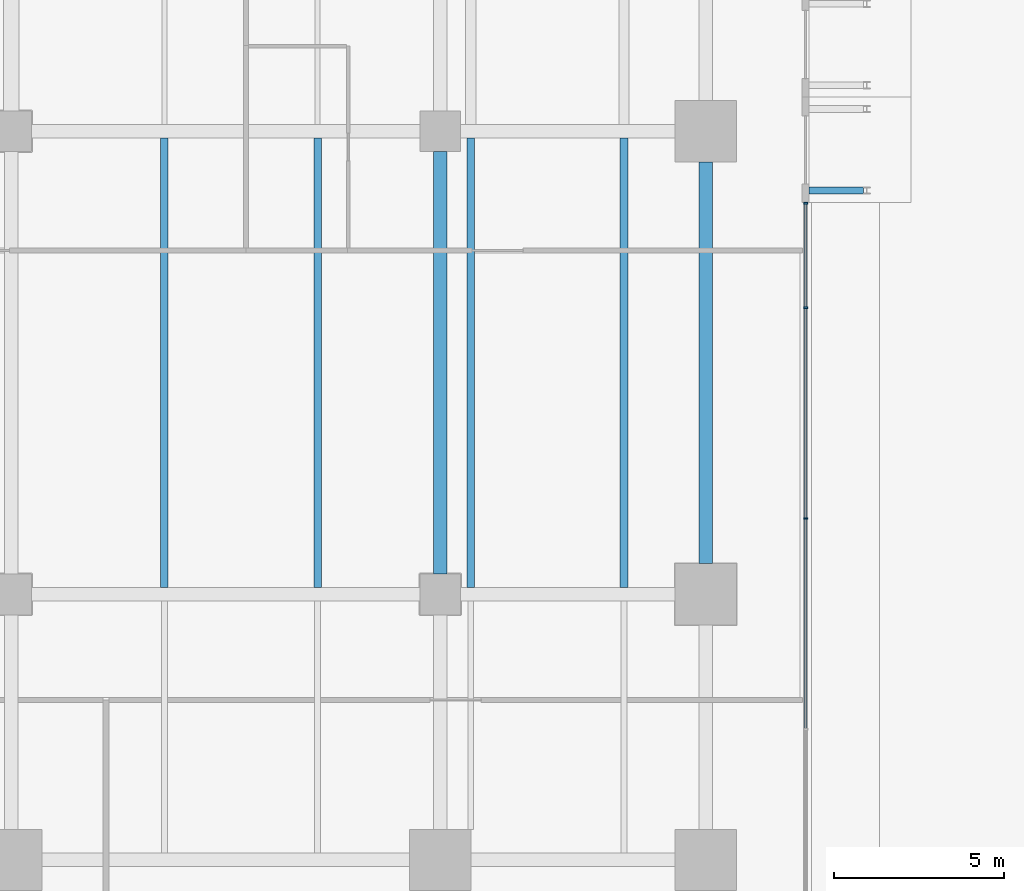
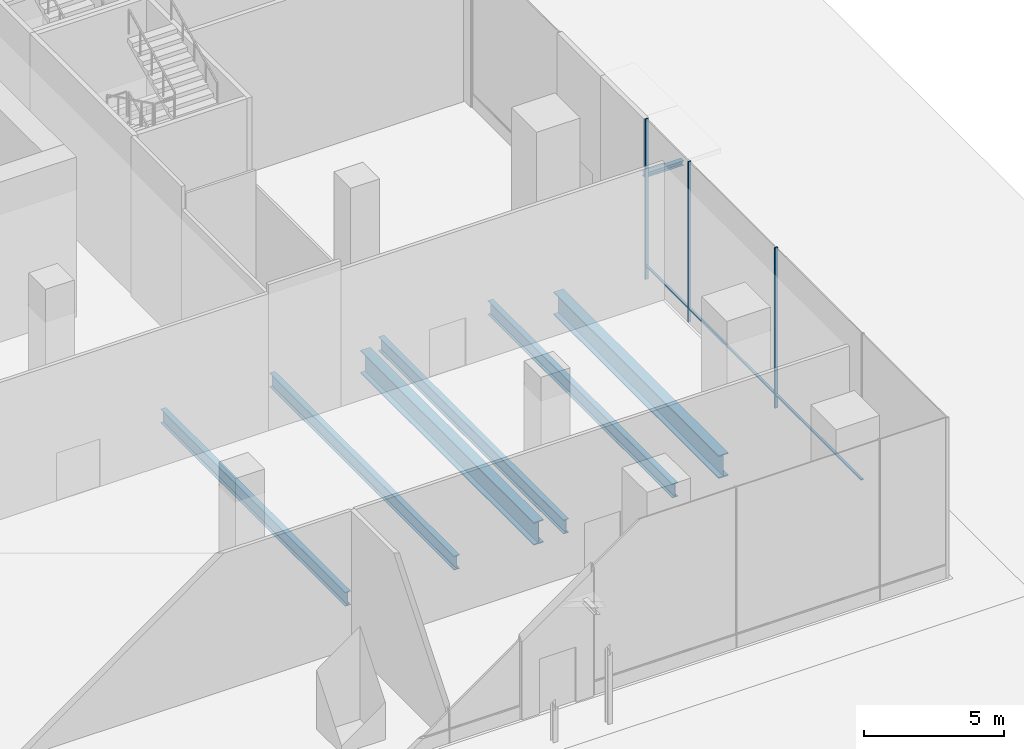
# One storey, part 19 of 41: 7 beams, 6 members, 1 element without a shape of its own.
"""IFC4 building model written with IfcOpenShell, lengths in metres."""

from ifc_helpers import new_model, si_unit, direction, frame, origin, origin_2d, place, context, subcontext, project, spatial, rectangle, i_section, extrude, material, layer, layer_set, material_profile, profile_set, type_object, element, aggregate, save


model = new_model("IFC4")

# Units and contexts
model_context = context("Model", 3, precision=1e-05, world=origin(), true_north=direction((0.0, 1.0)))
body_context = subcontext(model_context, "Body", "Model", "MODEL_VIEW")
ifc_project = project(units=[si_unit("LENGTHUNIT", "METRE"), si_unit("AREAUNIT", "SQUARE_METRE"), si_unit("VOLUMEUNIT", "CUBIC_METRE"), si_unit("PLANEANGLEUNIT", "RADIAN"), si_unit("MASSUNIT", "GRAM", prefix="KILO")], contexts=[model_context])

# Site, building, storey
site_placement = place(None, origin())
site = spatial("IfcSite", under=ifc_project, at=site_placement, CompositionType="ELEMENT")
building_placement = place(site_placement, origin())
building = spatial("IfcBuilding", under=site, at=building_placement, Name="Rattan Terrace Tower", CompositionType="ELEMENT")
storey_placement = place(building_placement, origin())
storey = spatial("IfcBuildingStorey", under=building, at=storey_placement, Name="L00", CompositionType="ELEMENT", Elevation=0.0)

# Beams
ifc_material_1 = material(Name="Structural steel S355", Category="steel")
ifc_material_profile_1 = material_profile(ifc_material_1, i_section(OverallWidth=0.199951171875, OverallDepth=0.199951171875, WebThickness=0.009033203125, FlangeThickness=0.014892578125, FilletRadius=0.01806640625, at=origin_2d()), Name="HE 200 B")
ifc_profile_set_1 = profile_set([ifc_material_profile_1], Name="Structural steel S355")
beam_type_1 = type_object("IfcBeamType", Name="Canopy beam HE 200 B", PredefinedType="BEAM", material=ifc_profile_set_1)
beam_1_placement = place(storey_placement, frame((36.929931640625, -15.241943359375, 4.300048828125), z_axis=(1.0, 0.0, 0.0), x_axis=(0.0, 1.0, 0.0)))
element("IfcBeam", 1, at=beam_1_placement, inside=storey, type_object=beam_type_1, Name="Canopy beam 001a", PredefinedType="BEAM", context=body_context, shape_type="SweptSolid", body=[
    extrude(i_section(OverallWidth=0.199951171875, OverallDepth=0.199951171875, WebThickness=0.009033203125, FlangeThickness=0.014892578125, FilletRadius=0.01806640625, at=origin_2d()), origin(), (0.0, 0.0, 1.0), 1.60009765625),
])
ifc_material_2 = material(Name="Steel S355", Category="steel")
ifc_material_profile_2 = material_profile(ifc_material_2, i_section(OverallWidth=0.22412109375, OverallDepth=0.610107421875, WebThickness=0.014892578125, FlangeThickness=0.02392578125, FilletRadius=0.02392578125, at=origin_2d()), Name="IPE O 600")
ifc_profile_set_2 = profile_set([ifc_material_profile_2], Name="Steel S355")
beam_type_2 = type_object("IfcBeamType", Name="Frame floor beam IPE O 600", PredefinedType="JOIST", material=ifc_profile_set_2)
for number, where, z_axis, x_axis, name in (
    (2, (18.0, -26.89990234375, -0.5048828125), (0.0, 1.0, 0.0), (-1.0, 0.0, 0.0), "bm-L00-023"),
    (3, (22.5, -26.89990234375, -0.5048828125), (0.0, 1.0, 0.0), (-1.0, 0.0, 0.0), "bm-L00-024"),
    (4, (27.0, -26.89990234375, -0.5048828125), (0.0, 1.0, 0.0), (-1.0, 0.0, 0.0), "bm-L00-025"),
    (5, (31.5, -26.89990234375, -0.5048828125), (0.0, 1.0, 0.0), (-1.0, 0.0, 0.0), "bm-L00-026"),
):
    element("IfcBeam", number, at=place(storey_placement, frame(where, z_axis=z_axis, x_axis=x_axis)), inside=storey, type_object=beam_type_2, Name=name, PredefinedType="JOIST", context=body_context, shape_type="SweptSolid", body=[
        extrude(i_section(OverallWidth=0.22412109375, OverallDepth=0.610107421875, WebThickness=0.014892578125, FlangeThickness=0.02392578125, FilletRadius=0.02392578125, at=origin_2d()), origin(), (0.0, 0.0, 1.0), 13.199951171875),
    ])
ifc_material_3 = material(Name="Steel S460", Category="steel")
ifc_material_profile_3 = material_profile(ifc_material_3, i_section(OverallWidth=0.39990234375, OverallDepth=1.0, WebThickness=0.01806640625, FlangeThickness=0.044921875, at=origin_2d()), Name="PG 1000x400-18-45")
ifc_profile_set_3 = profile_set([ifc_material_profile_3], Name="Steel S460")
beam_type_3 = type_object("IfcBeamType", Name="Frame podium girder PG 1000x400-18-45", PredefinedType="USERDEFINED", material=ifc_profile_set_3)
beam_2_placement = place(storey_placement, frame((26.10009765625, -26.5, -0.699951171875), z_axis=(0.0, 1.0, 0.0), x_axis=(-1.0, 0.0, 0.0)))
element("IfcBeam", 6, at=beam_2_placement, inside=storey, type_object=beam_type_3, Name="gdr-L00-024", ObjectType="PODIUM GIRDER", PredefinedType="USERDEFINED", context=body_context, shape_type="SweptSolid", body=[
    extrude(i_section(OverallWidth=0.39990234375, OverallDepth=1.0, WebThickness=0.01806640625, FlangeThickness=0.044921875, at=origin_2d()), origin(), (0.0, 0.0, 1.0), 12.39990234375),
])
beam_3_placement = place(storey_placement, frame((33.89990234375, -26.199951171875, -0.699951171875), z_axis=(0.0, 1.0, 0.0), x_axis=(-1.0, 0.0, 0.0)))
element("IfcBeam", 7, at=beam_3_placement, inside=storey, type_object=beam_type_3, Name="gdr-L00-026", ObjectType="PODIUM GIRDER", PredefinedType="USERDEFINED", context=body_context, shape_type="SweptSolid", body=[
    extrude(i_section(OverallWidth=0.39990234375, OverallDepth=1.0, WebThickness=0.01806640625, FlangeThickness=0.044921875, at=origin_2d()), origin(), (0.0, 0.0, 1.0), 11.800048828125),
])

# Curtain wall, members
ifc_material_4 = material(Name="Aluminium and glass", Category="aluminium")
ifc_layer = layer(ifc_material_4, 0.1201171875)
ifc_layer_set = layer_set([ifc_layer], Name="Station Storefront Curtain Wall")
curtain_wall_type = type_object("IfcCurtainWallType", Name="Station Storefront Curtain Wall", PredefinedType="NOTDEFINED", material=ifc_layer_set)
curtain_wall_placement = place(storey_placement, origin())
curtain_wall = element("IfcCurtainWall", 8, at=curtain_wall_placement, inside=storey, type_object=curtain_wall_type, Name="Storefront curtain wall L00-1", PredefinedType="NOTDEFINED")
ifc_material_5 = material(Name="Aluminium", Category="aluminium")
ifc_material_profile_4 = material_profile(ifc_material_5, rectangle(XDim=0.050048828125, YDim=0.1201171875, at=origin_2d()), Name="Aluminium 50x120")
ifc_profile_set_4 = profile_set([ifc_material_profile_4], Name="Aluminium")
member_type_1 = type_object("IfcMemberType", Name="Storefront CW Mullion 50x120", PredefinedType="MULLION", material=ifc_profile_set_4)
member_1_placement = place(storey_placement, frame((36.830078125, -24.8740234375, 0.0), z_axis=(0.0, 0.0, 1.0), x_axis=(0.0, 1.0, 0.0)))
member_1 = element("IfcMember", 9, at=member_1_placement, type_object=member_type_1, Name="Mullion cwl-L00-001.3", PredefinedType="MULLION", context=body_context, shape_type="SweptSolid", body=[
    extrude(rectangle(XDim=0.050048828125, YDim=0.1201171875, at=origin_2d()), origin(), (0.0, 0.0, 1.0), 7.0),
])
member_2_placement = place(storey_placement, frame((36.830078125, -18.68603515625, 0.0), z_axis=(0.0, 0.0, 1.0), x_axis=(0.0, 1.0, 0.0)))
member_2 = element("IfcMember", 10, at=member_2_placement, type_object=member_type_1, Name="Mullion cwl-L00-001.4", PredefinedType="MULLION", context=body_context, shape_type="SweptSolid", body=[
    extrude(rectangle(XDim=0.050048828125, YDim=0.1201171875, at=origin_2d()), origin(), (0.0, 0.0, 1.0), 7.0),
])
member_3_placement = place(storey_placement, frame((36.830078125, -15.616943359375, 0.0), z_axis=(0.0, 0.0, 1.0), x_axis=(0.0, 1.0, 0.0)))
member_3 = element("IfcMember", 11, at=member_3_placement, type_object=member_type_1, Name="Mullion cwl-L00-001.5", PredefinedType="MULLION", context=body_context, shape_type="SweptSolid", body=[
    extrude(rectangle(XDim=0.050048828125, YDim=0.1201171875, at=origin_2d()), origin(), (0.0, 0.0, 1.0), 7.0),
])
ifc_material_6 = material(Name="Aluminium", Category="aluminium")
ifc_material_profile_5 = material_profile(ifc_material_6, rectangle(XDim=0.10009765625, YDim=0.050048828125, at=origin_2d()), Name="Aluminium 100x50")
ifc_profile_set_5 = profile_set([ifc_material_profile_5], Name="Aluminium")
member_type_2 = type_object("IfcMemberType", Name="Storefront CW Transom 100x50", PredefinedType="USERDEFINED", material=ifc_profile_set_5)
member_4_placement = place(storey_placement, frame((36.830078125, -31.037109375, 0.60009765625), z_axis=(0.0, 1.0, 0.0), x_axis=(-1.0, 0.0, 0.0)))
member_4 = element("IfcMember", 12, at=member_4_placement, type_object=member_type_2, Name="Transom cwl-L00-001.2", ObjectType="TRANSOM", PredefinedType="USERDEFINED", context=body_context, shape_type="SweptSolid", body=[
    extrude(rectangle(XDim=0.10009765625, YDim=0.050048828125, at=origin_2d()), origin(), (0.0, 0.0, 1.0), 6.13818359375),
])
member_5_placement = place(storey_placement, frame((36.830078125, -24.84912109375, 0.60009765625), z_axis=(0.0, 1.0, 0.0), x_axis=(-1.0, 0.0, 0.0)))
member_5 = element("IfcMember", 13, at=member_5_placement, type_object=member_type_2, Name="Transom cwl-L00-001.3", ObjectType="TRANSOM", PredefinedType="USERDEFINED", context=body_context, shape_type="SweptSolid", body=[
    extrude(rectangle(XDim=0.10009765625, YDim=0.050048828125, at=origin_2d()), origin(), (0.0, 0.0, 1.0), 6.13818359375),
])
member_6_placement = place(storey_placement, frame((36.830078125, -18.660888671875, 0.60009765625), z_axis=(0.0, 1.0, 0.0), x_axis=(-1.0, 0.0, 0.0)))
member_6 = element("IfcMember", 14, at=member_6_placement, type_object=member_type_2, Name="Transom cwl-L00-001.4", ObjectType="TRANSOM", PredefinedType="USERDEFINED", context=body_context, shape_type="SweptSolid", body=[
    extrude(rectangle(XDim=0.10009765625, YDim=0.050048828125, at=origin_2d()), origin(), (0.0, 0.0, 1.0), 3.018798828125),
])
aggregate(curtain_wall, [member_1, member_2, member_3, member_4, member_5, member_6])

save(model, "model.ifc")
